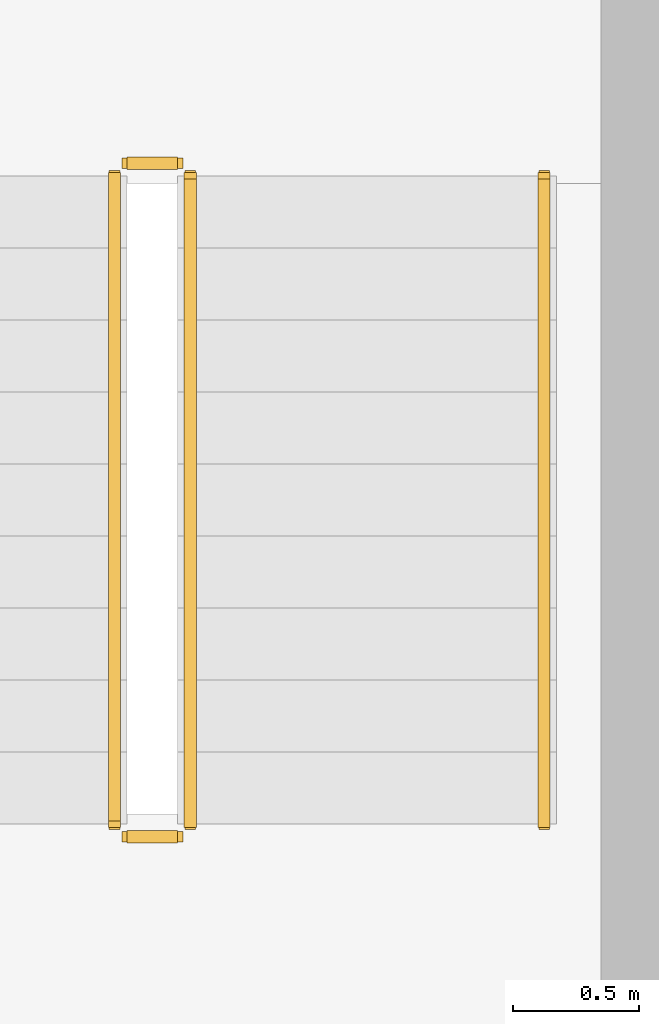
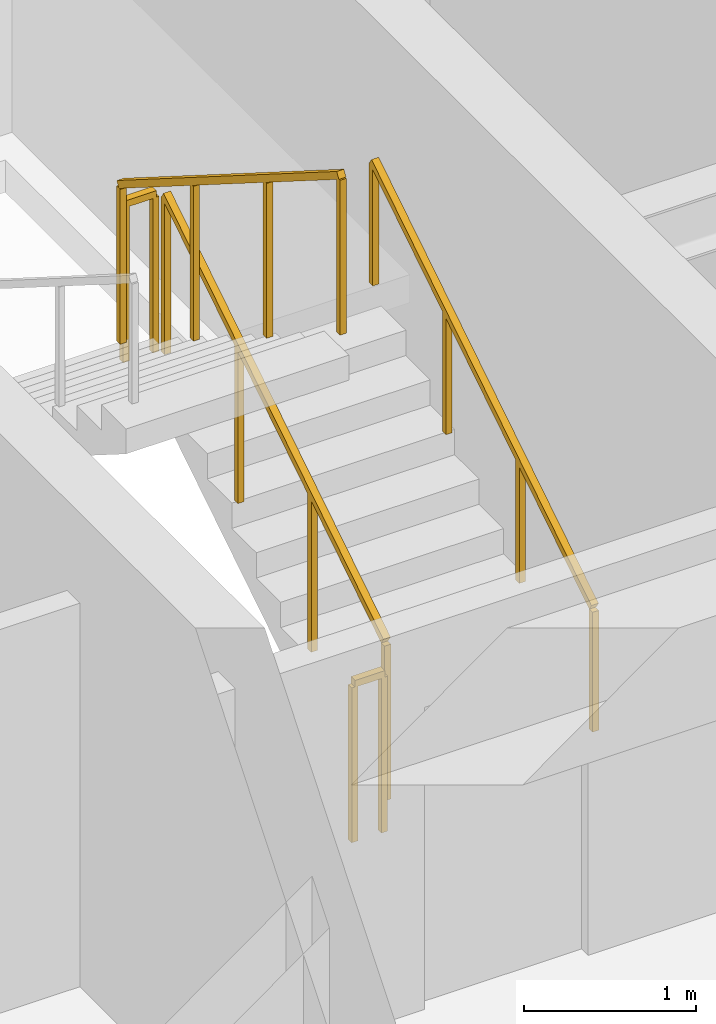
# One storey, part 23 of 23: 5 railings.
"""IFC4 building model written with IfcOpenShell, lengths in metres."""

from ifc_helpers import new_model, si_unit, direction, frame, origin, origin_2d, place, context, subcontext, project, spatial, rectangle, extrude, material, type_object, element, save


model = new_model("IFC4")

# Units and contexts
model_context = context("Model", 3, precision=1e-05, world=origin(), true_north=direction((0.0, 1.0)))
body_context = subcontext(model_context, "Body", "Model", "MODEL_VIEW")
ifc_project = project(units=[si_unit("LENGTHUNIT", "METRE"), si_unit("AREAUNIT", "SQUARE_METRE"), si_unit("VOLUMEUNIT", "CUBIC_METRE"), si_unit("PLANEANGLEUNIT", "RADIAN"), si_unit("MASSUNIT", "GRAM", prefix="KILO")], contexts=[model_context])

# Site, building, storey
site_placement = place(None, origin())
site = spatial("IfcSite", under=ifc_project, at=site_placement, CompositionType="ELEMENT")
building_placement = place(site_placement, origin())
building = spatial("IfcBuilding", under=site, at=building_placement, Name="Sarneth Arch Tower", CompositionType="ELEMENT")
storey_placement = place(building_placement, frame((0.0, 0.0, 265.800048828125)))
storey = spatial("IfcBuildingStorey", under=building, at=storey_placement, Name="L68", CompositionType="ELEMENT", Elevation=265.800048828125)

# Railings
ifc_material_1 = material(Name="Brushed Stainless Steel 304 tubular handrail", Category="steel")
railing_type_1 = type_object("IfcRailingType", Name="RAIL-HANDRAIL-900", PredefinedType="HANDRAIL", material=ifc_material_1)
railing_1_placement = place(storey_placement, frame((58.60009765625, 41.449951171875, 0.179931640625)))
element("IfcRailing", 1, at=railing_1_placement, inside=storey, type_object=railing_type_1, Name="L68 ST-2 stair handrail 1", PredefinedType="HANDRAIL", context=body_context, shape_type="SweptSolid", body=[
    extrude(rectangle(XDim=0.048095703125, YDim=0.048095703125, at=origin_2d()), frame((0.0, 0.0, 0.8759765625), z_axis=(0.0, 0.845465955043, 0.534029323973), x_axis=(-1.0, 0.0, 0.0)), (0.0, 0.0, 1.0), 3.03369140625),
    extrude(rectangle(XDim=0.0419921875, YDim=0.0419921875, at=origin_2d()), origin(), (0.0, 0.0, 1.0), 0.851806640625),
    extrude(rectangle(XDim=0.0419921875, YDim=0.0419921875, at=origin_2d()), frame((0.0, 0.85498046875, 0.5400390625)), (0.0, 0.0, 1.0), 0.851806640625),
    extrude(rectangle(XDim=0.0419921875, YDim=0.0419921875, at=origin_2d()), frame((0.0, 1.7099609375, 1.080078125)), (0.0, 0.0, 1.0), 0.851806640625),
    extrude(rectangle(XDim=0.0419921875, YDim=0.0419921875, at=origin_2d()), frame((0.0, 2.56494140625, 1.6201171875)), (0.0, 0.0, 1.0), 0.851806640625),
])
ifc_material_2 = material(Name="Painted Steel S275 stair well guard", Category="steel")
railing_type_2 = type_object("IfcRailingType", Name="RAIL-STAIR-GUARD", PredefinedType="GUARDRAIL", material=ifc_material_2)
railing_2_placement = place(storey_placement, frame((57.199951171875, 41.449951171875, 0.179931640625)))
element("IfcRailing", 2, at=railing_2_placement, inside=storey, type_object=railing_type_2, Name="L68 ST-2 stair guard 1", PredefinedType="GUARDRAIL", context=body_context, shape_type="SweptSolid", body=[
    extrude(rectangle(XDim=0.048095703125, YDim=0.048095703125, at=origin_2d()), frame((0.0, 0.0, 1.1259765625), z_axis=(0.0, 0.845465955043, 0.534029323973), x_axis=(-1.0, 0.0, 0.0)), (0.0, 0.0, 1.0), 3.03369140625),
    extrude(rectangle(XDim=0.0419921875, YDim=0.0419921875, at=origin_2d()), origin(), (0.0, 0.0, 1.0), 1.101806640625),
    extrude(rectangle(XDim=0.0419921875, YDim=0.0419921875, at=origin_2d()), frame((0.0, 0.85498046875, 0.5400390625)), (0.0, 0.0, 1.0), 1.101806640625),
    extrude(rectangle(XDim=0.0419921875, YDim=0.0419921875, at=origin_2d()), frame((0.0, 1.7099609375, 1.080078125)), (0.0, 0.0, 1.0), 1.101806640625),
    extrude(rectangle(XDim=0.0419921875, YDim=0.0419921875, at=origin_2d()), frame((0.0, 2.56494140625, 1.6201171875)), (0.0, 0.0, 1.0), 1.101806640625),
])
railing_3_placement = place(storey_placement, frame((57.14990234375, 44.06494140625, 1.800048828125)))
element("IfcRailing", 3, at=railing_3_placement, inside=storey, type_object=railing_type_2, Name="L68 ST-2 stair guard 2", PredefinedType="GUARDRAIL", context=body_context, shape_type="SweptSolid", body=[
    extrude(rectangle(XDim=0.048095703125, YDim=0.048095703125, at=origin_2d()), frame((0.0, 0.0, 1.1259765625), z_axis=(-1.0, 0.0, 0.0), x_axis=(0.0, -1.0, 0.0)), (0.0, 0.0, 1.0), 0.199951171875),
    extrude(rectangle(XDim=0.0419921875, YDim=0.0419921875, at=origin_2d()), origin(), (0.0, 0.0, 1.0), 1.101806640625),
    extrude(rectangle(XDim=0.0419921875, YDim=0.0419921875, at=origin_2d()), frame((-0.199951171875, 0.0, 0.0)), (0.0, 0.0, 1.0), 1.101806640625),
])
railing_4_placement = place(storey_placement, frame((56.89990234375, 44.014892578125, 1.97998046875)))
element("IfcRailing", 4, at=railing_4_placement, inside=storey, type_object=railing_type_2, Name="L68 ST-2 stair guard 3", PredefinedType="GUARDRAIL", context=body_context, shape_type="SweptSolid", body=[
    extrude(rectangle(XDim=0.048095703125, YDim=0.048095703125, at=origin_2d()), frame((0.0, 0.0, 1.1259765625), z_axis=(0.0, -0.845502289212, 0.533971796014), x_axis=(1.0, 0.0, 0.0)), (0.0, 0.0, 1.0), 3.03369140625),
    extrude(rectangle(XDim=0.0419921875, YDim=0.0419921875, at=origin_2d()), origin(), (0.0, 0.0, 1.0), 1.101806640625),
    extrude(rectangle(XDim=0.0419921875, YDim=0.0419921875, at=origin_2d()), frame((0.0, -0.85498046875, 0.5400390625)), (0.0, 0.0, 1.0), 1.101806640625),
    extrude(rectangle(XDim=0.0419921875, YDim=0.0419921875, at=origin_2d()), frame((0.0, -1.7099609375, 1.079833984375)), (0.0, 0.0, 1.0), 1.101806640625),
    extrude(rectangle(XDim=0.0419921875, YDim=0.0419921875, at=origin_2d()), frame((0.0, -2.56494140625, 1.619873046875)), (0.0, 0.0, 1.0), 1.101806640625),
])
railing_5_placement = place(storey_placement, frame((57.14990234375, 41.39990234375, 0.0)))
element("IfcRailing", 5, at=railing_5_placement, inside=storey, type_object=railing_type_2, Name="L68 ST-2 stair guard 4", PredefinedType="GUARDRAIL", context=body_context, shape_type="SweptSolid", body=[
    extrude(rectangle(XDim=0.048095703125, YDim=0.048095703125, at=origin_2d()), frame((0.0, 0.0, 1.1259765625), z_axis=(-1.0, 0.0, 0.0), x_axis=(0.0, -1.0, 0.0)), (0.0, 0.0, 1.0), 0.199951171875),
    extrude(rectangle(XDim=0.0419921875, YDim=0.0419921875, at=origin_2d()), origin(), (0.0, 0.0, 1.0), 1.101806640625),
    extrude(rectangle(XDim=0.0419921875, YDim=0.0419921875, at=origin_2d()), frame((-0.199951171875, 0.0, 0.0)), (0.0, 0.0, 1.0), 1.101806640625),
])

save(model, "model.ifc")
